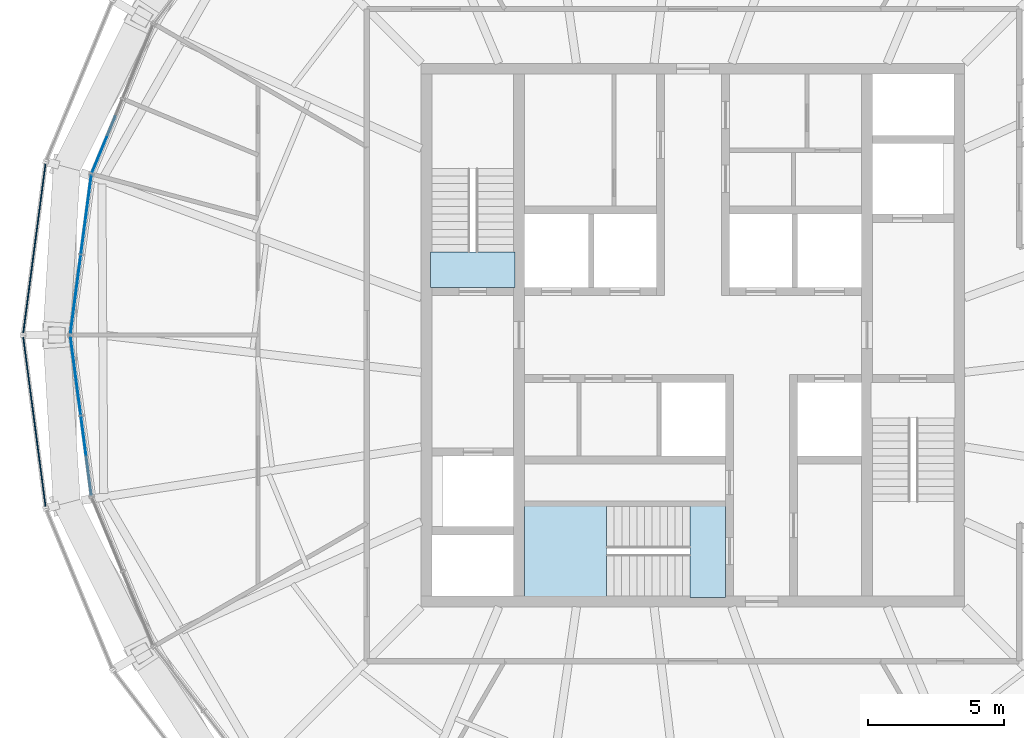
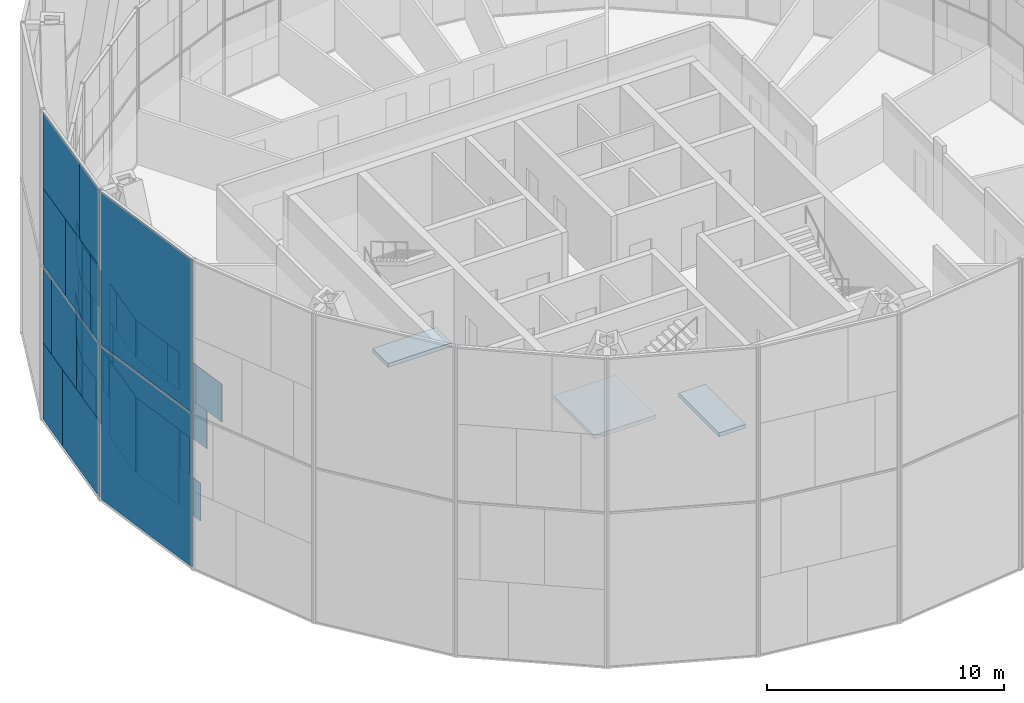
# One storey, part 12 of 23: 39 plates, 3 slabs, 6 elements without a shape of their own.
"""IFC4 building model written with IfcOpenShell, lengths in metres."""

from ifc_helpers import new_model, si_unit, direction, frame, origin, origin_2d, place, context, subcontext, project, spatial, polyline, rectangle, outline, extrude, material, layer, layer_set, type_object, element, aggregate, save


model = new_model("IFC4")

# Units and contexts
model_context = context("Model", 3, precision=1e-05, world=origin(), true_north=direction((0.0, 1.0)))
body_context = subcontext(model_context, "Body", "Model", "MODEL_VIEW")
ifc_project = project(units=[si_unit("LENGTHUNIT", "METRE"), si_unit("AREAUNIT", "SQUARE_METRE"), si_unit("VOLUMEUNIT", "CUBIC_METRE"), si_unit("PLANEANGLEUNIT", "RADIAN"), si_unit("MASSUNIT", "GRAM", prefix="KILO")], contexts=[model_context])

# Site, building, storey
site_placement = place(None, origin())
site = spatial("IfcSite", under=ifc_project, at=site_placement, CompositionType="ELEMENT")
building_placement = place(site_placement, origin())
building = spatial("IfcBuilding", under=site, at=building_placement, Name="Golbaran Civic Tower", CompositionType="ELEMENT")
storey_placement = place(building_placement, frame((0.0, 0.0, 232.0)))
storey = spatial("IfcBuildingStorey", under=building, at=storey_placement, Name="L56", CompositionType="ELEMENT", Elevation=232.0)

# Curtain wall, plates
ifc_material_1 = material(Name="Aluminium and glass", Category="aluminium")
curtain_wall_type_1 = type_object("IfcCurtainWallType", Name="INNER SKIN CURTAIN WALL EXECUTIVE", PredefinedType="NOTDEFINED", material=ifc_material_1)
curtain_wall_1_placement = place(storey_placement, origin())
curtain_wall_1 = element("IfcCurtainWall", 1, at=curtain_wall_1_placement, inside=storey, type_object=curtain_wall_type_1, Name="Inner skin L56 facet 11 CW2", ObjectType="INNER SKIN", PredefinedType="USERDEFINED")
ifc_material_2 = material(Name="Clear insulating glass", Category="glass")
ifc_layer_1 = layer(ifc_material_2, 0.031982421875, Name="Clear insulating glass")
ifc_layer_set_1 = layer_set([ifc_layer_1], Name="Clear insulating glass")
plate_type_1 = type_object("IfcPlateType", Name="INNER SKIN CURTAIN WALL EXECUTIVE GLAZED PANEL", PredefinedType="CURTAIN_PANEL", material=ifc_layer_set_1)
plate_1_placement = place(storey_placement, frame((-21.9111328125, 6.464111328125, 4.030029296875), z_axis=(0.0, 0.0, 1.0), x_axis=(-0.382683432365, -0.923879532511, 0.0)))
plate_1 = element("IfcPlate", 2, at=plate_1_placement, type_object=plate_type_1, Name="CW2 panel 2.2 part 2", PredefinedType="CURTAIN_PANEL", context=body_context, shape_type="SweptSolid", body=[
    extrude(rectangle(XDim=1.03564453125, YDim=0.031982421875, at=origin_2d()), origin(), (0.0, 0.0, 1.0), 1.955078125),
])
plate_2_placement = place(storey_placement, frame((-21.766845703125, 6.8125, 5.98486328125), z_axis=(0.0, 0.0, 1.0), x_axis=(-0.382683432365, -0.923879532511, 0.0)))
plate_2 = element("IfcPlate", 3, at=plate_2_placement, type_object=plate_type_1, Name="CW2 panel 2.2 part 4", PredefinedType="CURTAIN_PANEL", context=body_context, shape_type="SweptSolid", body=[
    extrude(rectangle(XDim=1.789794921875, YDim=0.031982421875, at=origin_2d()), origin(), (0.0, 0.0, 1.0), 1.955078125),
])

curtain_wall_2_placement = place(storey_placement, origin())
curtain_wall_2 = element("IfcCurtainWall", 4, at=curtain_wall_2_placement, inside=storey, type_object=curtain_wall_type_1, Name="Inner skin L56 facet 12 CW2", ObjectType="INNER SKIN", PredefinedType="USERDEFINED")
plate_3_placement = place(storey_placement, frame((-22.42578125, 3.7001953125, 0.06005859375), z_axis=(0.0, 0.0, 1.0), x_axis=(-0.130526192185, -0.991444861378, 0.0)))
plate_3 = element("IfcPlate", 5, at=plate_3_placement, type_object=plate_type_1, Name="CW2 panel 1.1 part 2", PredefinedType="CURTAIN_PANEL", context=body_context, shape_type="SweptSolid", body=[
    extrude(rectangle(XDim=1.4228515625, YDim=0.031982421875, at=origin_2d()), origin(), (0.0, 0.0, 1.0), 1.955078125),
])
plate_4_placement = place(storey_placement, frame((-22.47509765625, 3.326416015625, 2.014892578125), z_axis=(0.0, 0.0, 1.0), x_axis=(-0.130526192185, -0.991444861378, 0.0)))
plate_4 = element("IfcPlate", 6, at=plate_4_placement, type_object=plate_type_1, Name="CW2 panel 1.1 part 4", PredefinedType="CURTAIN_PANEL", context=body_context, shape_type="SweptSolid", body=[
    extrude(rectangle(XDim=0.668701171875, YDim=0.031982421875, at=origin_2d()), origin(), (0.0, 0.0, 1.0), 1.955078125),
])
plate_5_placement = place(storey_placement, frame((-22.20751953125, 5.357666015625, 4.030029296875), z_axis=(0.0, 0.0, 1.0), x_axis=(-0.130526192185, -0.991444861378, 0.0)))
plate_5 = element("IfcPlate", 7, at=plate_5_placement, type_object=plate_type_1, Name="CW2 panel 1.2 part 1", PredefinedType="CURTAIN_PANEL", context=body_context, shape_type="SweptSolid", body=[
    extrude(rectangle(XDim=1.034912109375, YDim=0.031982421875, at=origin_2d()), origin(), (0.0, 0.0, 1.0), 1.955078125),
])
plate_6_placement = place(storey_placement, frame((-22.2568359375, 4.98388671875, 5.98486328125), z_axis=(0.0, 0.0, 1.0), x_axis=(-0.130526192185, -0.991444861378, 0.0)))
plate_6 = element("IfcPlate", 8, at=plate_6_placement, type_object=plate_type_1, Name="CW2 panel 1.2 part 3", PredefinedType="CURTAIN_PANEL", context=body_context, shape_type="SweptSolid", body=[
    extrude(rectangle(XDim=1.7890625, YDim=0.031982421875, at=origin_2d()), origin(), (0.0, 0.0, 1.0), 1.955078125),
])
plate_7_placement = place(storey_placement, frame((-22.7158203125, 1.49755859375, 0.06005859375), z_axis=(0.0, 0.0, 1.0), x_axis=(-0.130526192185, -0.991444861378, 0.0)))
plate_7 = element("IfcPlate", 9, at=plate_7_placement, type_object=plate_type_1, Name="CW2 panel 2.1", PredefinedType="CURTAIN_PANEL", context=body_context, shape_type="SweptSolid", body=[
    extrude(rectangle(XDim=2.900634765625, YDim=0.031982421875, at=origin_2d()), origin(), (0.0, 0.0, 1.0), 3.909912109375),
])
plate_8_placement = place(storey_placement, frame((-22.741943359375, 1.299072265625, 4.030029296875), z_axis=(0.0, 0.0, 1.0), x_axis=(-0.130526192185, -0.991444861378, 0.0)))
plate_8 = element("IfcPlate", 10, at=plate_8_placement, type_object=plate_type_1, Name="CW2 panel 2.2 part 2", PredefinedType="CURTAIN_PANEL", context=body_context, shape_type="SweptSolid", body=[
    extrude(rectangle(XDim=2.500732421875, YDim=0.031982421875, at=origin_2d()), origin(), (0.0, 0.0, 1.0), 1.955078125),
])
plate_9_placement = place(storey_placement, frame((-22.768310546875, 1.099853515625, 5.98486328125), z_axis=(0.0, 0.0, 1.0), x_axis=(-0.130526192185, -0.991444861378, 0.0)))
plate_9 = element("IfcPlate", 11, at=plate_9_placement, type_object=plate_type_1, Name="CW2 panel 2.2 part 4", PredefinedType="CURTAIN_PANEL", context=body_context, shape_type="SweptSolid", body=[
    extrude(rectangle(XDim=2.0986328125, YDim=0.031982421875, at=origin_2d()), origin(), (0.0, 0.0, 1.0), 1.955078125),
])

curtain_wall_3_placement = place(storey_placement, origin())
curtain_wall_3 = element("IfcCurtainWall", 12, at=curtain_wall_3_placement, inside=storey, type_object=curtain_wall_type_1, Name="Inner skin L56 facet 13 CW2", ObjectType="INNER SKIN", PredefinedType="USERDEFINED")
plate_10_placement = place(storey_placement, frame((-22.7158203125, -1.49755859375, 0.06005859375), z_axis=(0.0, 0.0, 1.0), x_axis=(0.130526192185, -0.991444861378, 0.0)))
plate_10 = element("IfcPlate", 13, at=plate_10_placement, type_object=plate_type_1, Name="CW2 panel 1.1", PredefinedType="CURTAIN_PANEL", context=body_context, shape_type="SweptSolid", body=[
    extrude(rectangle(XDim=2.900634765625, YDim=0.031982421875, at=origin_2d()), origin(), (0.0, 0.0, 1.0), 3.909912109375),
])
plate_11_placement = place(storey_placement, frame((-22.7421875, -1.29833984375, 4.030029296875), z_axis=(0.0, 0.0, 1.0), x_axis=(0.130526192185, -0.991444861378, 0.0)))
plate_11 = element("IfcPlate", 14, at=plate_11_placement, type_object=plate_type_1, Name="CW2 panel 1.2 part 1", PredefinedType="CURTAIN_PANEL", context=body_context, shape_type="SweptSolid", body=[
    extrude(rectangle(XDim=2.4990234375, YDim=0.031982421875, at=origin_2d()), origin(), (0.0, 0.0, 1.0), 1.955078125),
])
plate_12_placement = place(storey_placement, frame((-22.768310546875, -1.099609375, 5.98486328125), z_axis=(0.0, 0.0, 1.0), x_axis=(0.130526192185, -0.991444861378, 0.0)))
plate_12 = element("IfcPlate", 15, at=plate_12_placement, type_object=plate_type_1, Name="CW2 panel 1.2 part 3", PredefinedType="CURTAIN_PANEL", context=body_context, shape_type="SweptSolid", body=[
    extrude(rectangle(XDim=2.097900390625, YDim=0.031982421875, at=origin_2d()), origin(), (0.0, 0.0, 1.0), 1.955078125),
])
plate_13_placement = place(storey_placement, frame((-22.42578125, -3.7001953125, 0.06005859375), z_axis=(0.0, 0.0, 1.0), x_axis=(0.130526192185, -0.991444861378, 0.0)))
plate_13 = element("IfcPlate", 16, at=plate_13_placement, type_object=plate_type_1, Name="CW2 panel 2.1 part 1", PredefinedType="CURTAIN_PANEL", context=body_context, shape_type="SweptSolid", body=[
    extrude(rectangle(XDim=1.423095703125, YDim=0.031982421875, at=origin_2d()), origin(), (0.0, 0.0, 1.0), 1.955078125),
])
plate_14_placement = place(storey_placement, frame((-22.47509765625, -3.32666015625, 2.014892578125), z_axis=(0.0, 0.0, 1.0), x_axis=(0.130526192185, -0.991444861378, 0.0)))
plate_14 = element("IfcPlate", 17, at=plate_14_placement, type_object=plate_type_1, Name="CW2 panel 2.1 part 3", PredefinedType="CURTAIN_PANEL", context=body_context, shape_type="SweptSolid", body=[
    extrude(rectangle(XDim=0.6689453125, YDim=0.031982421875, at=origin_2d()), origin(), (0.0, 0.0, 1.0), 1.955078125),
])
plate_15_placement = place(storey_placement, frame((-22.2568359375, -4.983642578125, 5.98486328125), z_axis=(0.0, 0.0, 1.0), x_axis=(0.130526192185, -0.991444861378, 0.0)))
plate_15 = element("IfcPlate", 18, at=plate_15_placement, type_object=plate_type_1, Name="CW2 panel 2.2 part 4", PredefinedType="CURTAIN_PANEL", context=body_context, shape_type="SweptSolid", body=[
    extrude(rectangle(XDim=1.789794921875, YDim=0.031982421875, at=origin_2d()), origin(), (0.0, 0.0, 1.0), 1.955078125),
])

# Plate
ifc_material_3 = material(Name="Aluminium faced opaque infill panel", Category="aluminium")
ifc_layer_2 = layer(ifc_material_3, 0.031982421875, Name="Aluminium faced opaque infill panel")
ifc_layer_set_2 = layer_set([ifc_layer_2], Name="Aluminium faced opaque infill panel")
plate_type_2 = type_object("IfcPlateType", Name="INNER SKIN CURTAIN WALL EXECUTIVE OPAQUE INFILL PANEL", PredefinedType="CURTAIN_PANEL", material=ifc_layer_set_2)
plate_16_placement = place(storey_placement, frame((-21.82666015625, 6.66845703125, 0.06005859375), z_axis=(0.0, 0.0, 1.0), x_axis=(-0.382683432365, -0.923879532511, 0.0)))
plate_16 = element("IfcPlate", 19, at=plate_16_placement, type_object=plate_type_2, Name="CW2 infill panel 2.1 part 2", PredefinedType="CURTAIN_PANEL", context=body_context, shape_type="SweptSolid", body=[
    extrude(rectangle(XDim=1.477783203125, YDim=0.031982421875, at=origin_2d()), origin(), (0.0, 0.0, 1.0), 1.955078125),
])

plate_17_placement = place(storey_placement, frame((-21.682373046875, 7.0166015625, 2.014892578125), z_axis=(0.0, 0.0, 1.0), x_axis=(-0.382683432365, -0.923879532511, 0.0)))
plate_17 = element("IfcPlate", 20, at=plate_17_placement, type_object=plate_type_2, Name="CW2 infill panel 2.1 part 4", PredefinedType="CURTAIN_PANEL", context=body_context, shape_type="SweptSolid", body=[
    extrude(rectangle(XDim=2.231689453125, YDim=0.031982421875, at=origin_2d()), origin(), (0.0, 0.0, 1.0), 1.955078125),
])

aggregate(curtain_wall_1, [plate_16, plate_17, plate_1, plate_2])

plate_18_placement = place(storey_placement, frame((-22.236572265625, 5.13818359375, 0.06005859375), z_axis=(0.0, 0.0, 1.0), x_axis=(-0.130526192185, -0.991444861378, 0.0)))
plate_18 = element("IfcPlate", 21, at=plate_18_placement, type_object=plate_type_2, Name="CW2 infill panel 1.1 part 1", PredefinedType="CURTAIN_PANEL", context=body_context, shape_type="SweptSolid", body=[
    extrude(rectangle(XDim=1.47802734375, YDim=0.031982421875, at=origin_2d()), origin(), (0.0, 0.0, 1.0), 1.955078125),
])

plate_19_placement = place(storey_placement, frame((-22.28564453125, 4.764404296875, 2.014892578125), z_axis=(0.0, 0.0, 1.0), x_axis=(-0.130526192185, -0.991444861378, 0.0)))
plate_19 = element("IfcPlate", 22, at=plate_19_placement, type_object=plate_type_2, Name="CW2 infill panel 1.1 part 3", PredefinedType="CURTAIN_PANEL", context=body_context, shape_type="SweptSolid", body=[
    extrude(rectangle(XDim=2.23193359375, YDim=0.031982421875, at=origin_2d()), origin(), (0.0, 0.0, 1.0), 1.955078125),
])

plate_20_placement = place(storey_placement, frame((-22.39697265625, 3.919677734375, 4.030029296875), z_axis=(0.0, 0.0, 1.0), x_axis=(-0.130526192185, -0.991444861378, 0.0)))
plate_20 = element("IfcPlate", 23, at=plate_20_placement, type_object=plate_type_2, Name="CW2 infill panel 1.2 part 2", PredefinedType="CURTAIN_PANEL", context=body_context, shape_type="SweptSolid", body=[
    extrude(rectangle(XDim=1.86572265625, YDim=0.031982421875, at=origin_2d()), origin(), (0.0, 0.0, 1.0), 1.955078125),
])

plate_21_placement = place(storey_placement, frame((-22.446044921875, 3.546142578125, 5.98486328125), z_axis=(0.0, 0.0, 1.0), x_axis=(-0.130526192185, -0.991444861378, 0.0)))
plate_21 = element("IfcPlate", 24, at=plate_21_placement, type_object=plate_type_2, Name="CW2 infill panel 1.2 part 4", PredefinedType="CURTAIN_PANEL", context=body_context, shape_type="SweptSolid", body=[
    extrude(rectangle(XDim=1.11181640625, YDim=0.031982421875, at=origin_2d()), origin(), (0.0, 0.0, 1.0), 1.955078125),
])

plate_22_placement = place(storey_placement, frame((-22.552734375, 2.737060546875, 4.030029296875), z_axis=(0.0, 0.0, 1.0), x_axis=(-0.130526192185, -0.991444861378, 0.0)))
plate_22 = element("IfcPlate", 25, at=plate_22_placement, type_object=plate_type_2, Name="CW2 infill panel 2.2 part 1", PredefinedType="CURTAIN_PANEL", context=body_context, shape_type="SweptSolid", body=[
    extrude(rectangle(XDim=0.39990234375, YDim=0.031982421875, at=origin_2d()), origin(), (0.0, 0.0, 1.0), 1.955078125),
])

plate_23_placement = place(storey_placement, frame((-22.578857421875, 2.537841796875, 5.98486328125), z_axis=(0.0, 0.0, 1.0), x_axis=(-0.130526192185, -0.991444861378, 0.0)))
plate_23 = element("IfcPlate", 26, at=plate_23_placement, type_object=plate_type_2, Name="CW2 infill panel 2.2 part 3", PredefinedType="CURTAIN_PANEL", context=body_context, shape_type="SweptSolid", body=[
    extrude(rectangle(XDim=0.802001953125, YDim=0.031982421875, at=origin_2d()), origin(), (0.0, 0.0, 1.0), 1.955078125),
])

aggregate(curtain_wall_2, [plate_18, plate_3, plate_19, plate_4, plate_5, plate_20, plate_6, plate_21, plate_7, plate_22, plate_8, plate_23, plate_9])

plate_24_placement = place(storey_placement, frame((-22.552734375, -2.736328125, 4.030029296875), z_axis=(0.0, 0.0, 1.0), x_axis=(0.130526192185, -0.991444861378, 0.0)))
plate_24 = element("IfcPlate", 27, at=plate_24_placement, type_object=plate_type_2, Name="CW2 infill panel 1.2 part 2", PredefinedType="CURTAIN_PANEL", context=body_context, shape_type="SweptSolid", body=[
    extrude(rectangle(XDim=0.40185546875, YDim=0.031982421875, at=origin_2d()), origin(), (0.0, 0.0, 1.0), 1.955078125),
])

plate_25_placement = place(storey_placement, frame((-22.578857421875, -2.53759765625, 5.98486328125), z_axis=(0.0, 0.0, 1.0), x_axis=(0.130526192185, -0.991444861378, 0.0)))
plate_25 = element("IfcPlate", 28, at=plate_25_placement, type_object=plate_type_2, Name="CW2 infill panel 1.2 part 4", PredefinedType="CURTAIN_PANEL", context=body_context, shape_type="SweptSolid", body=[
    extrude(rectangle(XDim=0.802734375, YDim=0.031982421875, at=origin_2d()), origin(), (0.0, 0.0, 1.0), 1.955078125),
])

plate_26_placement = place(storey_placement, frame((-22.39697265625, -3.91943359375, 4.030029296875), z_axis=(0.0, 0.0, 1.0), x_axis=(0.130526192185, -0.991444861378, 0.0)))
plate_26 = element("IfcPlate", 29, at=plate_26_placement, type_object=plate_type_2, Name="CW2 infill panel 2.2 part 1", PredefinedType="CURTAIN_PANEL", context=body_context, shape_type="SweptSolid", body=[
    extrude(rectangle(XDim=1.864990234375, YDim=0.031982421875, at=origin_2d()), origin(), (0.0, 0.0, 1.0), 1.955078125),
])

plate_27_placement = place(storey_placement, frame((-22.4462890625, -3.545654296875, 5.98486328125), z_axis=(0.0, 0.0, 1.0), x_axis=(0.130526192185, -0.991444861378, 0.0)))
plate_27 = element("IfcPlate", 30, at=plate_27_placement, type_object=plate_type_2, Name="CW2 infill panel 2.2 part 3", PredefinedType="CURTAIN_PANEL", context=body_context, shape_type="SweptSolid", body=[
    extrude(rectangle(XDim=1.111083984375, YDim=0.031982421875, at=origin_2d()), origin(), (0.0, 0.0, 1.0), 1.955078125),
])

aggregate(curtain_wall_3, [plate_10, plate_11, plate_24, plate_12, plate_25, plate_13, plate_14, plate_26, plate_27, plate_15])

# Curtain wall, plates
curtain_wall_type_2 = type_object("IfcCurtainWallType", Name="OUTER SKIN TERRACOTTA SCREEN", PredefinedType="NOTDEFINED", material=ifc_material_1)
curtain_wall_4_placement = place(storey_placement, origin())
curtain_wall_4 = element("IfcCurtainWall", 31, at=curtain_wall_4_placement, inside=storey, type_object=curtain_wall_type_2, Name="Outer skin L56 facet 12 CW3", ObjectType="OUTER SKIN", PredefinedType="USERDEFINED")
ifc_material_4 = material(Name="Clear laminated glass", Category="glass")
ifc_layer_3 = layer(ifc_material_4, 0.0400390625, Name="Clear laminated glass")
ifc_layer_set_3 = layer_set([ifc_layer_3], Name="Clear laminated glass")
plate_type_3 = type_object("IfcPlateType", Name="OUTER SKIN CLEAR GLASS PANEL", PredefinedType="CURTAIN_PANEL", material=ifc_layer_set_3)
plate_28_placement = place(storey_placement, frame((-24.37744140625, 2.107421875, -0.6298828125), z_axis=(0.0, 0.0, 1.0), x_axis=(-0.130526192237, -0.991444861372, 0.0)))
plate_28 = element("IfcPlate", 32, at=plate_28_placement, type_object=plate_type_3, Name="CW3 panel 1.1 part 2", PredefinedType="CURTAIN_PANEL", context=body_context, shape_type="SweptSolid", body=[
    extrude(rectangle(XDim=4.09130859375, YDim=0.0400390625, at=origin_2d()), origin(), (0.0, 0.0, 1.0), 3.93994140625),
])
plate_29_placement = place(storey_placement, frame((-23.888427734375, 5.823486328125, 3.31005859375), z_axis=(0.0, 0.0, 1.0), x_axis=(-0.130526192237, -0.991444861372, 0.0)))
plate_29 = element("IfcPlate", 33, at=plate_29_placement, type_object=plate_type_3, Name="CW3 panel 1.1 part 3", PredefinedType="CURTAIN_PANEL", context=body_context, shape_type="SweptSolid", body=[
    extrude(rectangle(XDim=0.965087890625, YDim=0.0400390625, at=origin_2d()), origin(), (0.0, 0.0, 1.0), 3.93994140625),
])
plate_30_placement = place(storey_placement, frame((-24.476806640625, 1.3544921875, 3.31005859375), z_axis=(0.0, 0.0, 1.0), x_axis=(-0.130526192237, -0.991444861372, 0.0)))
plate_30 = element("IfcPlate", 34, at=plate_30_placement, type_object=plate_type_3, Name="CW3 panel 1.1 part 5", PredefinedType="CURTAIN_PANEL", context=body_context, shape_type="SweptSolid", body=[
    extrude(rectangle(XDim=2.572265625, YDim=0.0400390625, at=origin_2d()), origin(), (0.0, 0.0, 1.0), 3.93994140625),
])
plate_31_placement = place(storey_placement, frame((-23.989501953125, 5.05517578125, 7.330078125), z_axis=(0.0, 0.0, 1.0), x_axis=(-0.130526192237, -0.991444861372, 0.0)))
plate_31 = element("IfcPlate", 35, at=plate_31_placement, type_object=plate_type_3, Name="CW3 panel 1.2 part 1", PredefinedType="CURTAIN_PANEL", context=body_context, shape_type="SweptSolid", body=[
    extrude(rectangle(XDim=2.514892578125, YDim=0.0400390625, at=origin_2d()), origin(), (0.0, 0.0, 1.0), 3.93994140625),
])
plate_32_placement = place(storey_placement, frame((-24.577880859375, 0.58544921875, 7.330078125), z_axis=(0.0, 0.0, 1.0), x_axis=(-0.130526192237, -0.991444861372, 0.0)))
plate_32 = element("IfcPlate", 36, at=plate_32_placement, type_object=plate_type_3, Name="CW3 panel 1.2 part 3", PredefinedType="CURTAIN_PANEL", context=body_context, shape_type="SweptSolid", body=[
    extrude(rectangle(XDim=1.021240234375, YDim=0.0400390625, at=origin_2d()), origin(), (0.0, 0.0, 1.0), 3.93994140625),
])
plate_33_placement = place(storey_placement, frame((-24.089111328125, 4.299072265625, 11.27001953125), z_axis=(0.0, 0.0, 1.0), x_axis=(-0.130526192237, -0.991444861372, 0.0)))
plate_33 = element("IfcPlate", 37, at=plate_33_placement, type_object=plate_type_3, Name="CW3 panel 1.2 part 4", PredefinedType="CURTAIN_PANEL", context=body_context, shape_type="SweptSolid", body=[
    extrude(rectangle(XDim=4.0400390625, YDim=0.0400390625, at=origin_2d()), origin(), (0.0, 0.0, 1.0), 3.93994140625),
])
ifc_material_5 = material(Name="Terracotta baguette screen", Category="masonry")
ifc_layer_4 = layer(ifc_material_5, 0.0400390625, Name="Terracotta baguette screen")
ifc_layer_set_4 = layer_set([ifc_layer_4], Name="Terracotta baguette screen")
plate_type_4 = type_object("IfcPlateType", Name="OUTER SKIN TERRACOTTA INFILL PANEL", PredefinedType="CURTAIN_PANEL", material=ifc_layer_set_4)
plate_34_placement = place(storey_placement, frame((-23.968017578125, 5.21875, -0.6298828125), z_axis=(0.0, 0.0, 1.0), x_axis=(-0.130526192237, -0.991444861372, 0.0)))
plate_34 = element("IfcPlate", 38, at=plate_34_placement, type_object=plate_type_4, Name="CW3 infill panel 1.1 part 1", PredefinedType="CURTAIN_PANEL", context=body_context, shape_type="SweptSolid", body=[
    extrude(rectangle(XDim=2.18505859375, YDim=0.0400390625, at=origin_2d()), origin(), (0.0, 0.0, 1.0), 3.93994140625),
])
plate_35_placement = place(storey_placement, frame((-24.130126953125, 3.9873046875, 3.31005859375), z_axis=(0.0, 0.0, 1.0), x_axis=(-0.130526192237, -0.991444861372, 0.0)))
plate_35 = element("IfcPlate", 39, at=plate_35_placement, type_object=plate_type_4, Name="CW3 infill panel 1.1 part 4", PredefinedType="CURTAIN_PANEL", context=body_context, shape_type="SweptSolid", body=[
    extrude(rectangle(XDim=2.739013671875, YDim=0.0400390625, at=origin_2d()), origin(), (0.0, 0.0, 1.0), 3.93994140625),
])
plate_36_placement = place(storey_placement, frame((-24.33251953125, 2.4501953125, 7.330078125), z_axis=(0.0, 0.0, 1.0), x_axis=(-0.130526192237, -0.991444861372, 0.0)))
plate_36 = element("IfcPlate", 40, at=plate_36_placement, type_object=plate_type_4, Name="CW3 infill panel 1.2 part 2", PredefinedType="CURTAIN_PANEL", context=body_context, shape_type="SweptSolid", body=[
    extrude(rectangle(XDim=2.739990234375, YDim=0.0400390625, at=origin_2d()), origin(), (0.0, 0.0, 1.0), 3.93994140625),
])
plate_37_placement = place(storey_placement, frame((-24.49853515625, 1.18798828125, 11.27001953125), z_axis=(0.0, 0.0, 1.0), x_axis=(-0.130526192237, -0.991444861372, 0.0)))
plate_37 = element("IfcPlate", 41, at=plate_37_placement, type_object=plate_type_4, Name="CW3 infill panel 1.2 part 5", PredefinedType="CURTAIN_PANEL", context=body_context, shape_type="SweptSolid", body=[
    extrude(rectangle(XDim=2.236328125, YDim=0.0400390625, at=origin_2d()), origin(), (0.0, 0.0, 1.0), 3.93994140625),
])
aggregate(curtain_wall_4, [plate_34, plate_28, plate_29, plate_35, plate_30, plate_31, plate_36, plate_32, plate_33, plate_37])

curtain_wall_5_placement = place(storey_placement, origin())
curtain_wall_5 = element("IfcCurtainWall", 42, at=curtain_wall_5_placement, inside=storey, type_object=curtain_wall_type_2, Name="Outer skin L56 facet 13 CW3", ObjectType="OUTER SKIN", PredefinedType="USERDEFINED")
ifc_layer_5 = layer(ifc_material_5, 0.0400390625, Name="Terracotta baguette screen")
ifc_layer_set_5 = layer_set([ifc_layer_5], Name="Terracotta baguette screen")
plate_type_5 = type_object("IfcPlateType", Name="OUTER SKIN TERRACOTTA SCREEN PANEL", PredefinedType="CURTAIN_PANEL", material=ifc_layer_set_5)
plate_38_placement = place(storey_placement, frame((-24.23486328125, -3.190673828125, -0.6298828125), z_axis=(0.0, 0.0, 1.0), x_axis=(0.130526192237, -0.991444861372, 0.0)))
plate_38 = element("IfcPlate", 43, at=plate_38_placement, type_object=plate_type_5, Name="CW3 terracotta screen panel 1.1", PredefinedType="CURTAIN_PANEL", context=body_context, shape_type="SweptSolid", body=[
    extrude(rectangle(XDim=6.2763671875, YDim=0.0400390625, at=origin_2d()), origin(), (0.0, 0.0, 1.0), 7.8798828125),
])
plate_39_placement = place(storey_placement, frame((-24.23486328125, -3.190673828125, 7.330078125), z_axis=(0.0, 0.0, 1.0), x_axis=(0.130526192237, -0.991444861372, 0.0)))
plate_39 = element("IfcPlate", 44, at=plate_39_placement, type_object=plate_type_5, Name="CW3 terracotta screen panel 1.2", PredefinedType="CURTAIN_PANEL", context=body_context, shape_type="SweptSolid", body=[
    extrude(rectangle(XDim=6.2763671875, YDim=0.0400390625, at=origin_2d()), origin(), (0.0, 0.0, 1.0), 7.8798828125),
])
aggregate(curtain_wall_5, [plate_38, plate_39])

# Slab
ifc_material_6 = material(Name="Concrete C35/45", Category="concrete")
ifc_layer_6 = layer(ifc_material_6, 0.199951171875, Name="Concrete C35/45")
ifc_layer_set_6 = layer_set([ifc_layer_6], Name="Concrete C35/45")
slab_type = type_object("IfcSlabType", Name="STAIR LANDING 200", PredefinedType="LANDING", material=ifc_layer_set_6)
slab_1_placement = place(storey_placement, frame((0.0, 0.0, -0.199951171875)))
element("IfcSlab", 45, at=slab_1_placement, inside=storey, type_object=slab_type, Name="Stair S1 floor landing L56", PredefinedType="LANDING", context=body_context, shape_type="SweptSolid", body=[
    extrude(outline(polyline([(-9.64990234375, 1.75), (-9.64990234375, 3.054931640625), (-6.550048828125, 3.054931640625), (-6.550048828125, 1.75), (-9.64990234375, 1.75)])), origin(), (0.0, 0.0, 1.0), 0.199951171875),
])

# Stair, slab
stair_type = type_object("IfcStairType", Name="EXIT STAIR 3300 x 7400, 4000 RISE", PredefinedType="HALF_TURN_STAIR", material=ifc_material_6)
stair_placement = place(storey_placement, origin())
stair = element("IfcStair", 46, at=stair_placement, inside=storey, type_object=stair_type, Name="Stair S3 L56", PredefinedType="HALF_TURN_STAIR")
slab_2_placement = place(storey_placement, frame((0.0, 0.0, 1.800048828125)))
slab_2 = element("IfcSlab", 47, at=slab_2_placement, type_object=slab_type, Name="ST33074-40 landing 1", PredefinedType="LANDING", context=body_context, shape_type="SweptSolid", body=[
    extrude(outline(polyline([(-3.175048828125, -9.64990234375), (-6.199951171875, -9.64990234375), (-6.199951171875, -6.25), (-3.175048828125, -6.25), (-3.175048828125, -9.64990234375)])), origin(), (0.0, 0.0, 1.0), 0.199951171875),
])
aggregate(stair, [slab_2])

# Slab
slab_3_placement = place(storey_placement, frame((0.0, 0.0, -0.199951171875)))
element("IfcSlab", 48, at=slab_3_placement, inside=storey, type_object=slab_type, Name="Stair S3 floor landing L56", PredefinedType="LANDING", context=body_context, shape_type="SweptSolid", body=[
    extrude(outline(polyline([(1.199951171875, -9.64990234375), (-0.10498046875, -9.64990234375), (-0.10498046875, -6.25), (1.199951171875, -6.25), (1.199951171875, -9.64990234375)])), origin(), (0.0, 0.0, 1.0), 0.199951171875),
])

save(model, "model.ifc")
